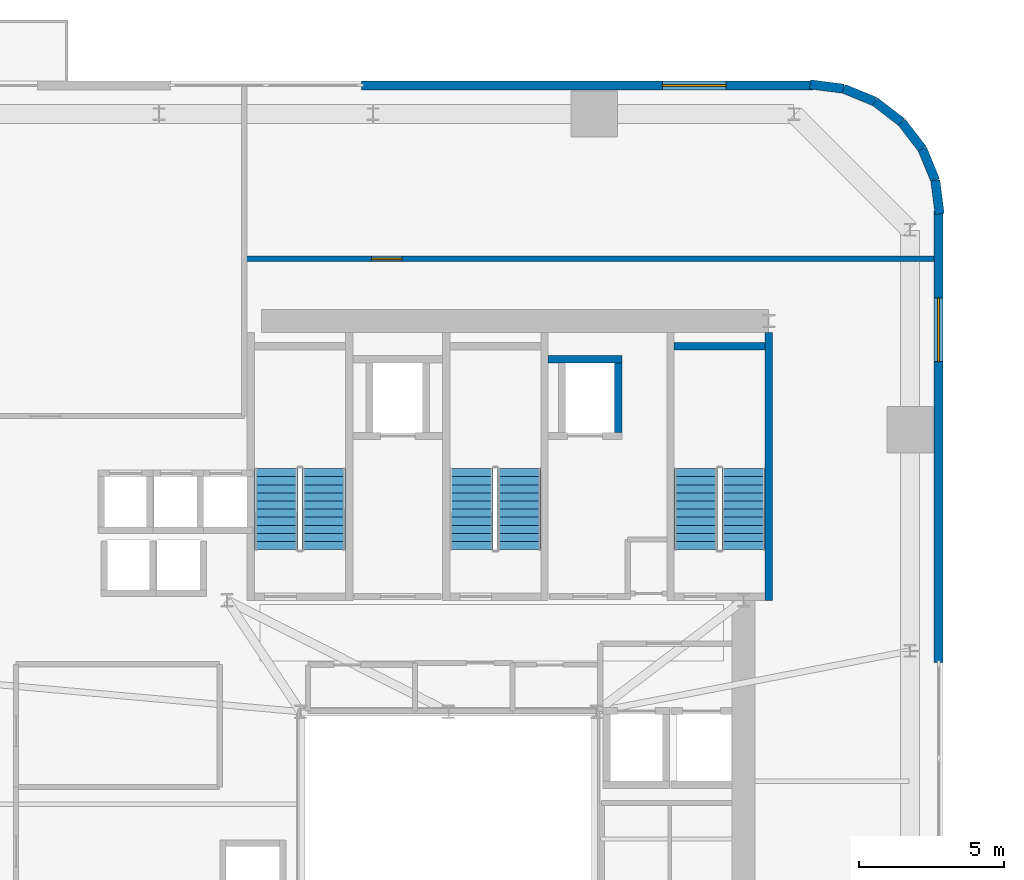
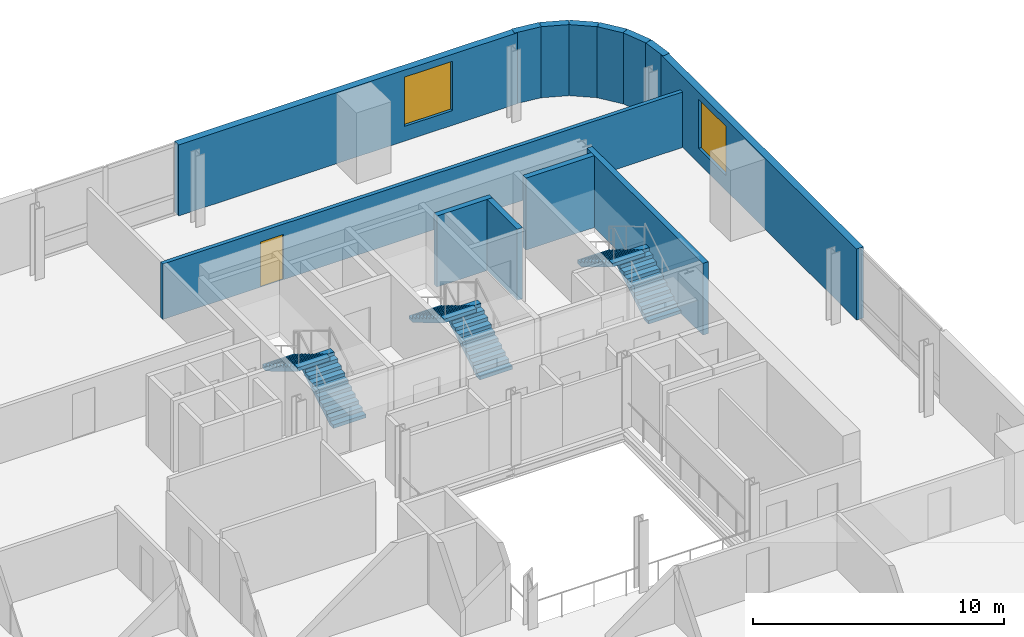
# One storey, part 9 of 13: 13 walls, 6 stair flights, 2 windows, 1 door, 3 openings, 3 elements without a shape of their own.
"""IFC4 building model written with IfcOpenShell, lengths in metres."""

from ifc_helpers import new_model, si_unit, direction, frame, frame_2d, origin, place, context, subcontext, project, spatial, polyline, rectangle, outline, extrude, source, transform, mapped, material, layer, layer_set, type_object, element, fill, aggregate, save


model = new_model("IFC4")

# Units and contexts
model_context = context("Model", 3, precision=1e-05, world=origin(), true_north=direction((0.0, 1.0)))
body_context = subcontext(model_context, "Body", "Model", "MODEL_VIEW")
ifc_project = project(units=[si_unit("LENGTHUNIT", "METRE"), si_unit("AREAUNIT", "SQUARE_METRE"), si_unit("VOLUMEUNIT", "CUBIC_METRE"), si_unit("PLANEANGLEUNIT", "RADIAN"), si_unit("MASSUNIT", "GRAM", prefix="KILO")], contexts=[model_context])

# Site, building, storey
site_placement = place(None, origin())
site = spatial("IfcSite", under=ifc_project, at=site_placement, CompositionType="ELEMENT")
building_placement = place(site_placement, origin())
building = spatial("IfcBuilding", under=site, at=building_placement, Name="Vardaveli Station Tower", CompositionType="ELEMENT")
storey_placement = place(building_placement, frame((0.0, 0.0, 115.0)))
storey = spatial("IfcBuildingStorey", under=building, at=storey_placement, Name="L29", CompositionType="ELEMENT", Elevation=115.0)

# Wall, opening, window
ifc_material_1 = material(Name="Precast concrete C45/55", Category="concrete")
ifc_layer_1 = layer(ifc_material_1, 0.320068359375, Name="Precast concrete C45/55")
ifc_layer_set_1 = layer_set([ifc_layer_1], Name="Precast concrete C45/55")
wall_type_1 = type_object("IfcWallType", Name="WAL-EXT-STONE-320", PredefinedType="SOLIDWALL", material=ifc_layer_set_1)
shared_shape_1 = source(origin(), body_context, "Body", "SweptSolid", [
    extrude(rectangle(XDim=15.599853515625, YDim=0.320068359375, at=frame_2d((7.7998046875, 0.0))), origin(), (0.0, 0.0, 1.0), 3.4599609375),
])
wall_1_placement = place(storey_placement, frame((48.89990234375, 48.43994140625, 0.0), z_axis=(0.0, 0.0, 1.0), x_axis=(-1.0, 0.0, 0.0)))
wall_1 = element("IfcWall", 1, at=wall_1_placement, inside=storey, type_object=wall_type_1, Name="EW-L29-N1", PredefinedType="SOLIDWALL", context=body_context, shape_type="MappedRepresentation", body=[
    mapped(shared_shape_1, transform((0.0, 0.0, 0.0), scale=1.0)),
])
shared_shape_2 = source(origin(), body_context, "Body", "SweptSolid", [
    extrude(rectangle(XDim=2.199951171875, YDim=2.39990234375, at=frame_2d((1.10009765625, 1.199951171875))), frame((0.0, 0.169921875, 0.0), z_axis=(0.0, -1.0, 0.0), x_axis=(1.0, 0.0, 0.0)), (0.0, 0.0, 1.0), 0.340087890625),
])
opening_1_placement = place(wall_1_placement, frame((3.0048828125, 0.0, 0.719970703125)))
opening_1 = element("IfcOpeningElement", 2, at=opening_1_placement, cuts=wall_1, Name="Opening W-03", PredefinedType="OPENING", context=body_context, shape_type="MappedRepresentation", body=[
    mapped(shared_shape_2, transform((0.0, 0.0, 0.0), scale=1.0)),
])
ifc_material_2 = material(Name="Low-E solar-control glass", Category="glass")
window_type = type_object("IfcWindowType", Name="WIN-LOG-2200x2400", PartitioningType="SINGLE_PANEL", PredefinedType="WINDOW", material=ifc_material_2)
shared_shape_3 = source(origin(), body_context, "Body", "SweptSolid", [
    extrude(rectangle(XDim=2.199951171875, YDim=2.39990234375, at=frame_2d((1.10009765625, 1.199951171875))), frame((0.0, 0.030029296875, 0.0), z_axis=(0.0, -1.0, 0.0), x_axis=(1.0, 0.0, 0.0)), (0.0, 0.0, 1.0), 0.06005859375),
])
window_1_placement = place(opening_1_placement, origin())
window_1 = element("IfcWindow", 3, at=window_1_placement, inside=storey, type_object=window_type, Name="WN-L29-N1", OverallHeight=2.39990234375, OverallWidth=2.199951171875, PartitioningType="SINGLE_PANEL", PredefinedType="WINDOW", context=body_context, shape_type="MappedRepresentation", body=[
    mapped(shared_shape_3, transform((0.0, 0.0, 0.0), scale=1.0)),
])
fill(opening_1, window_1)

shared_shape_4 = source(origin(), body_context, "Body", "SweptSolid", [
    extrude(rectangle(XDim=15.60009765625, YDim=0.320068359375, at=frame_2d((7.800048828125, 0.0))), origin(), (0.0, 0.0, 1.0), 3.4599609375),
])
wall_2_placement = place(storey_placement, frame((53.239990234375, 28.5, 0.0), z_axis=(0.0, 0.0, 1.0), x_axis=(0.0, 1.0, 0.0)))
wall_2 = element("IfcWall", 4, at=wall_2_placement, inside=storey, type_object=wall_type_1, Name="EW-L29-E2", PredefinedType="SOLIDWALL", context=body_context, shape_type="MappedRepresentation", body=[
    mapped(shared_shape_4, transform((0.0, 0.0, 0.0), scale=1.0)),
])
opening_2_placement = place(wall_2_placement, frame((10.39501953125, 0.0, 0.719970703125)))
opening_2 = element("IfcOpeningElement", 5, at=opening_2_placement, cuts=wall_2, Name="Opening W-03", PredefinedType="OPENING", context=body_context, shape_type="MappedRepresentation", body=[
    mapped(shared_shape_2, transform((0.0, 0.0, 0.0), scale=1.0)),
])
window_2_placement = place(opening_2_placement, origin())
window_2 = element("IfcWindow", 6, at=window_2_placement, inside=storey, type_object=window_type, Name="WN-L29-E2", OverallHeight=2.39990234375, OverallWidth=2.199951171875, PartitioningType="SINGLE_PANEL", PredefinedType="WINDOW", context=body_context, shape_type="MappedRepresentation", body=[
    mapped(shared_shape_3, transform((0.0, 0.0, 0.0), scale=1.0)),
])
fill(opening_2, window_2)

# Walls
shared_shape_5 = source(origin(), body_context, "Body", "SweptSolid", [
    extrude(rectangle(XDim=1.1689453125, YDim=0.320068359375, at=frame_2d((0.58447265625, 0.0))), origin(), (0.0, 0.0, 1.0), 3.4599609375),
])
wall_3_placement = place(storey_placement, frame((52.679931640625, 46.2412109375, 0.0), z_axis=(0.0, 0.0, 1.0), x_axis=(-0.608387696831, 0.793639975269, 0.0)))
element("IfcWall", 7, at=wall_3_placement, inside=storey, type_object=wall_type_1, Name="EW-L29-CR3-3", PredefinedType="SOLIDWALL", context=body_context, shape_type="MappedRepresentation", body=[
    mapped(shared_shape_5, transform((0.0, 0.0, 0.0), scale=1.0)),
])
shared_shape_6 = source(origin(), body_context, "Body", "SweptSolid", [
    extrude(rectangle(XDim=1.168701171875, YDim=0.320068359375, at=frame_2d((0.58447265625, 0.0))), origin(), (0.0, 0.0, 1.0), 3.4599609375),
])
wall_4_placement = place(storey_placement, frame((51.96875, 47.1689453125, 0.0), z_axis=(0.0, 0.0, 1.0), x_axis=(-0.793663520347, 0.608356981114, 0.0)))
element("IfcWall", 8, at=wall_4_placement, inside=storey, type_object=wall_type_1, Name="EW-L29-CR3-4", PredefinedType="SOLIDWALL", context=body_context, shape_type="MappedRepresentation", body=[
    mapped(shared_shape_6, transform((0.0, 0.0, 0.0), scale=1.0)),
])
shared_shape_7 = source(origin(), body_context, "Body", "SweptSolid", [
    extrude(rectangle(XDim=1.17041015625, YDim=0.320068359375, at=frame_2d((0.585205078125, 0.0))), origin(), (0.0, 0.0, 1.0), 3.4599609375),
])
for number, where, z_axis, x_axis, name in (
    (9, (53.275634765625, 43.99951171875, 0.0), (0.0, 0.0, 1.0), (-0.128295670475, 0.991735963317, 0.0), "EW-L29-CR3-1"),
    (10, (49.960205078125, 48.325439453125, 0.0), (0.0, 0.0, 1.0), (-0.991735963317, 0.128295670475, 0.0), "EW-L29-CR3-6"),
):
    element("IfcWall", number, at=place(storey_placement, frame(where, z_axis=z_axis, x_axis=x_axis)), inside=storey, type_object=wall_type_1, Name=name, PredefinedType="SOLIDWALL", context=body_context, shape_type="MappedRepresentation", body=[
        mapped(shared_shape_7, transform((0.0, 0.0, 0.0), scale=1.0)),
    ])
shared_shape_8 = source(origin(), body_context, "Body", "SweptSolid", [
    extrude(rectangle(XDim=1.169189453125, YDim=0.320068359375, at=frame_2d((0.58447265625, 0.0))), origin(), (0.0, 0.0, 1.0), 3.4599609375),
])
for number, where, z_axis, x_axis, name in (
    (11, (53.12548828125, 45.16015625, 0.0), (0.0, 0.0, 1.0), (-0.381054331552, 0.924552646638, 0.0), "EW-L29-CR3-2"),
    (12, (51.041259765625, 47.8798828125, 0.0), (0.0, 0.0, 1.0), (-0.924552646638, 0.381054331552, 0.0), "EW-L29-CR3-5"),
):
    element("IfcWall", number, at=place(storey_placement, frame(where, z_axis=z_axis, x_axis=x_axis)), inside=storey, type_object=wall_type_1, Name=name, PredefinedType="SOLIDWALL", context=body_context, shape_type="MappedRepresentation", body=[
        mapped(shared_shape_8, transform((0.0, 0.0, 0.0), scale=1.0)),
    ])
ifc_material_3 = material(Name="Concrete C40/50", Category="concrete")
ifc_layer_2 = layer(ifc_material_3, 0.25, Name="Concrete C40/50")
ifc_layer_set_2 = layer_set([ifc_layer_2], Name="Concrete C40/50")
wall_type_2 = type_object("IfcWallType", Name="WAL-SHAFT-250", PredefinedType="SOLIDWALL", material=ifc_layer_set_2)
shared_shape_9 = source(origin(), body_context, "Body", "SweptSolid", [
    extrude(rectangle(XDim=9.25, YDim=0.25, at=frame_2d((4.625, 0.0))), origin(), (0.0, 0.0, 1.0), 3.5),
])
wall_5_placement = place(storey_placement, frame((47.375, 30.64990234375, 0.0), z_axis=(0.0, 0.0, 1.0), x_axis=(0.0, 1.0, 0.0)))
element("IfcWall", 13, at=wall_5_placement, inside=storey, type_object=wall_type_2, Name="W-L29-ST-3E", PredefinedType="SOLIDWALL", context=body_context, shape_type="MappedRepresentation", body=[
    mapped(shared_shape_9, transform((0.0, 0.0, 0.0), scale=1.0)),
])
shared_shape_10 = source(origin(), body_context, "Body", "SweptSolid", [
    extrude(rectangle(XDim=3.14990234375, YDim=0.25, at=frame_2d((1.574951171875, 0.0))), origin(), (0.0, 0.0, 1.0), 3.5),
])
wall_6_placement = place(storey_placement, frame((44.10009765625, 39.425048828125, 0.0), z_axis=(0.0, 0.0, 1.0), x_axis=(1.0, 0.0, 0.0)))
element("IfcWall", 14, at=wall_6_placement, inside=storey, type_object=wall_type_2, Name="W-L29-ST-3N", PredefinedType="SOLIDWALL", context=body_context, shape_type="MappedRepresentation", body=[
    mapped(shared_shape_10, transform((0.0, 0.0, 0.0), scale=1.0)),
])
shared_shape_11 = source(origin(), body_context, "Body", "SweptSolid", [
    extrude(rectangle(XDim=2.400146484375, YDim=0.25, at=frame_2d((1.2001953125, 0.0))), origin(), (0.0, 0.0, 1.0), 3.4599609375),
])
wall_7_placement = place(storey_placement, frame((42.175048828125, 36.449951171875, 0.0), z_axis=(0.0, 0.0, 1.0), x_axis=(0.0, 1.0, 0.0)))
element("IfcWall", 15, at=wall_7_placement, inside=storey, type_object=wall_type_2, Name="SHW-FFL-02-L29-E", PredefinedType="SOLIDWALL", context=body_context, shape_type="MappedRepresentation", body=[
    mapped(shared_shape_11, transform((0.0, 0.0, 0.0), scale=1.0)),
])
shared_shape_12 = source(origin(), body_context, "Body", "SweptSolid", [
    extrude(rectangle(XDim=2.550048828125, YDim=0.25, at=frame_2d((1.27490234375, 0.0))), origin(), (0.0, 0.0, 1.0), 3.4599609375),
])
wall_8_placement = place(storey_placement, frame((39.75, 38.97509765625, 0.0), z_axis=(0.0, 0.0, 1.0), x_axis=(1.0, 0.0, 0.0)))
element("IfcWall", 16, at=wall_8_placement, inside=storey, type_object=wall_type_2, Name="SHW-FFL-02-L29-N", PredefinedType="SOLIDWALL", context=body_context, shape_type="MappedRepresentation", body=[
    mapped(shared_shape_12, transform((0.0, 0.0, 0.0), scale=1.0)),
])

# Wall, opening, door
ifc_material_4 = material(Name="Fire-rated gypsum stud partition")
ifc_layer_3 = layer(ifc_material_4, 0.179931640625, Name="Fire-rated gypsum stud partition")
ifc_layer_set_3 = layer_set([ifc_layer_3], Name="Fire-rated gypsum stud partition")
wall_type_3 = type_object("IfcWallType", Name="WAL-CORR-180", PredefinedType="PARTITIONING", material=ifc_layer_set_3)
shared_shape_13 = source(origin(), body_context, "Body", "SweptSolid", [
    extrude(rectangle(XDim=23.927978515625, YDim=0.179931640625, at=frame_2d((11.9638671875, 0.0))), origin(), (0.0, 0.0, 1.0), 2.701904296875),
])
wall_9_placement = place(storey_placement, frame((29.14990234375, 42.449951171875, 0.0), z_axis=(0.0, 0.0, 1.0), x_axis=(1.0, 0.0, 0.0)))
wall_9 = element("IfcWall", 17, at=wall_9_placement, inside=storey, type_object=wall_type_3, Name="W-L29-NPS", PredefinedType="PARTITIONING", context=body_context, shape_type="MappedRepresentation", body=[
    mapped(shared_shape_13, transform((0.0, 0.0, 0.0), scale=1.0)),
])
shared_shape_14 = source(origin(), body_context, "Body", "SweptSolid", [
    extrude(rectangle(XDim=1.050048828125, YDim=2.199951171875, at=frame_2d((0.52490234375, 1.10009765625))), frame((0.0, 0.10009765625, 0.0), z_axis=(0.0, -1.0, 0.0), x_axis=(1.0, 0.0, 0.0)), (0.0, 0.0, 1.0), 0.199951171875),
])
opening_3_placement = place(wall_9_placement, frame((4.5, 0.0, 0.0)))
opening_3 = element("IfcOpeningElement", 18, at=opening_3_placement, cuts=wall_9, Name="Opening D-05", PredefinedType="OPENING", context=body_context, shape_type="MappedRepresentation", body=[
    mapped(shared_shape_14, transform((0.0, 0.0, 0.0), scale=1.0)),
])
ifc_material_5 = material(Name="Walnut veneer acoustic fire door")
door_type = type_object("IfcDoorType", Name="DR-SUITE-1050x2200", OperationType="NOTDEFINED", PredefinedType="DOOR", material=ifc_material_5)
shared_shape_15 = source(origin(), body_context, "Body", "SweptSolid", [
    extrude(rectangle(XDim=1.050048828125, YDim=2.199951171875, at=frame_2d((0.52490234375, 1.10009765625))), frame((0.0, 0.02490234375, 0.0), z_axis=(0.0, -1.0, 0.0), x_axis=(1.0, 0.0, 0.0)), (0.0, 0.0, 1.0), 0.050048828125),
])
door_placement = place(opening_3_placement, origin())
door = element("IfcDoor", 19, at=door_placement, inside=storey, type_object=door_type, Name="D-L29-NP1", OperationType="SINGLE_SWING_LEFT", OverallHeight=2.199951171875, OverallWidth=1.050048828125, PredefinedType="DOOR", context=body_context, shape_type="MappedRepresentation", body=[
    mapped(shared_shape_15, transform((0.0, 0.0, 0.0), scale=1.0)),
])
fill(opening_3, door)

# Stair, stair flights
stair_type = type_object("IfcStairType", Name="STR-CORE-1500", PredefinedType="HALF_TURN_STAIR", material=ifc_material_3)
stair_1_placement = place(storey_placement, origin())
stair_1 = element("IfcStair", 20, at=stair_1_placement, inside=storey, type_object=stair_type, Name="L29 ST-1", PredefinedType="HALF_TURN_STAIR")
stair_flight_type = type_object("IfcStairFlightType", Name="SFL-CORE-1500", PredefinedType="STRAIGHT", material=ifc_material_3)
shared_shape_16 = source(origin(), body_context, "Body", "SweptSolid", [
    extrude(outline(polyline([(0.0, 0.0), (0.0, 0.168212890625), (0.280029296875, 0.168212890625), (0.280029296875, 0.33642578125), (0.56005859375, 0.33642578125), (0.56005859375, 0.504638671875), (0.840087890625, 0.504638671875), (0.840087890625, 0.672607421875), (1.1201171875, 0.672607421875), (1.1201171875, 0.8408203125), (1.39990234375, 0.8408203125), (1.39990234375, 1.009033203125), (1.679931640625, 1.009033203125), (1.679931640625, 1.17724609375), (1.9599609375, 1.17724609375), (1.9599609375, 1.345458984375), (2.239990234375, 1.345458984375), (2.239990234375, 1.513671875), (2.52001953125, 1.513671875), (2.52001953125, 1.681884765625), (2.800048828125, 1.681884765625), (2.800048828125, 1.85009765625), (2.800048828125, 1.5068359375), (0.291015625, 0.0), (0.0, 0.0)])), frame((0.0, 0.75, 0.0), z_axis=(0.0, -1.0, 0.0), x_axis=(1.0, 0.0, 0.0)), (0.0, 0.0, 1.0), 1.5),
])
stair_flight_1_placement = place(storey_placement, frame((32.0, 32.39990234375, 0.0), z_axis=(0.0, 0.0, 1.0), x_axis=(0.0, 1.0, 0.0)))
stair_flight_1 = element("IfcStairFlight", 21, at=stair_flight_1_placement, type_object=stair_flight_type, Name="ST-1 flight 1", NumberOfRisers=11, NumberOfTreads=10, PredefinedType="STRAIGHT", RiserHeight=0.168181818, TreadLength=0.28, context=body_context, shape_type="MappedRepresentation", body=[
    mapped(shared_shape_16, transform((0.0, 0.0, 0.0), scale=1.0)),
])
stair_flight_2_placement = place(storey_placement, frame((30.35009765625, 35.199951171875, 1.85009765625), z_axis=(0.0, 0.0, 1.0), x_axis=(0.0, -1.0, 0.0)))
stair_flight_2 = element("IfcStairFlight", 22, at=stair_flight_2_placement, type_object=stair_flight_type, Name="ST-1 flight 2", NumberOfRisers=11, NumberOfTreads=10, PredefinedType="STRAIGHT", RiserHeight=0.168181818, TreadLength=0.28, context=body_context, shape_type="MappedRepresentation", body=[
    mapped(shared_shape_16, transform((0.0, 0.0, 0.0), scale=1.0)),
])
aggregate(stair_1, [stair_flight_1, stair_flight_2])

stair_2_placement = place(storey_placement, origin())
stair_2 = element("IfcStair", 23, at=stair_2_placement, inside=storey, type_object=stair_type, Name="L29 ST-2", PredefinedType="HALF_TURN_STAIR")
stair_flight_3_placement = place(storey_placement, frame((38.75, 32.39990234375, 0.0), z_axis=(0.0, 0.0, 1.0), x_axis=(0.0, 1.0, 0.0)))
stair_flight_3 = element("IfcStairFlight", 24, at=stair_flight_3_placement, type_object=stair_flight_type, Name="ST-2 flight 1", NumberOfRisers=11, NumberOfTreads=10, PredefinedType="STRAIGHT", RiserHeight=0.168181818, TreadLength=0.28, context=body_context, shape_type="MappedRepresentation", body=[
    mapped(shared_shape_16, transform((0.0, 0.0, 0.0), scale=1.0)),
])
stair_flight_4_placement = place(storey_placement, frame((37.10009765625, 35.199951171875, 1.85009765625), z_axis=(0.0, 0.0, 1.0), x_axis=(0.0, -1.0, 0.0)))
stair_flight_4 = element("IfcStairFlight", 25, at=stair_flight_4_placement, type_object=stair_flight_type, Name="ST-2 flight 2", NumberOfRisers=11, NumberOfTreads=10, PredefinedType="STRAIGHT", RiserHeight=0.168181818, TreadLength=0.28, context=body_context, shape_type="MappedRepresentation", body=[
    mapped(shared_shape_16, transform((0.0, 0.0, 0.0), scale=1.0)),
])
aggregate(stair_2, [stair_flight_3, stair_flight_4])

stair_3_placement = place(storey_placement, origin())
stair_3 = element("IfcStair", 26, at=stair_3_placement, inside=storey, type_object=stair_type, Name="L29 ST-3", PredefinedType="HALF_TURN_STAIR")
stair_flight_5_placement = place(storey_placement, frame((46.5, 32.39990234375, 0.0), z_axis=(0.0, 0.0, 1.0), x_axis=(0.0, 1.0, 0.0)))
stair_flight_5 = element("IfcStairFlight", 27, at=stair_flight_5_placement, type_object=stair_flight_type, Name="ST-3 flight 1", NumberOfRisers=11, NumberOfTreads=10, PredefinedType="STRAIGHT", RiserHeight=0.168181818, TreadLength=0.28, context=body_context, shape_type="MappedRepresentation", body=[
    mapped(shared_shape_16, transform((0.0, 0.0, 0.0), scale=1.0)),
])
stair_flight_6_placement = place(storey_placement, frame((44.85009765625, 35.199951171875, 1.85009765625), z_axis=(0.0, 0.0, 1.0), x_axis=(0.0, -1.0, 0.0)))
stair_flight_6 = element("IfcStairFlight", 28, at=stair_flight_6_placement, type_object=stair_flight_type, Name="ST-3 flight 2", NumberOfRisers=11, NumberOfTreads=10, PredefinedType="STRAIGHT", RiserHeight=0.168181818, TreadLength=0.28, context=body_context, shape_type="MappedRepresentation", body=[
    mapped(shared_shape_16, transform((0.0, 0.0, 0.0), scale=1.0)),
])
aggregate(stair_3, [stair_flight_5, stair_flight_6])

save(model, "model.ifc")
